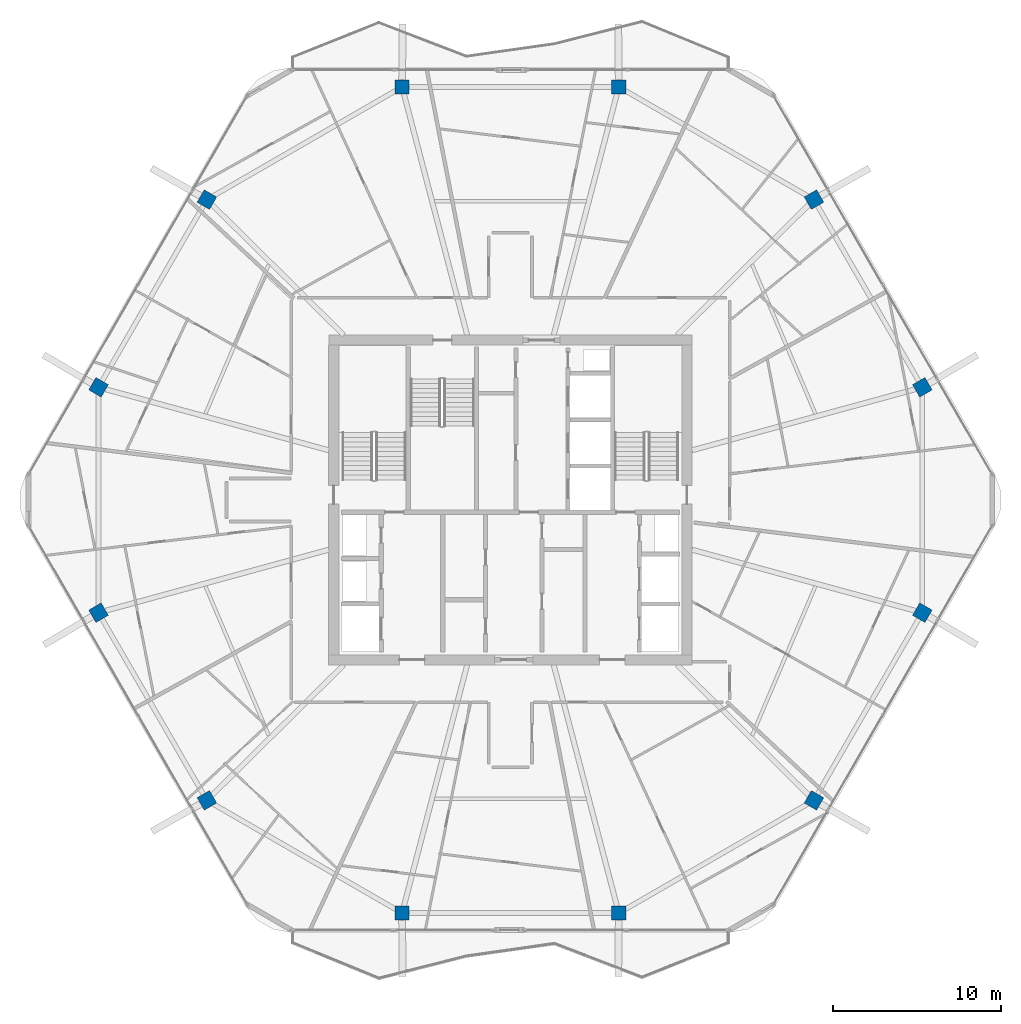
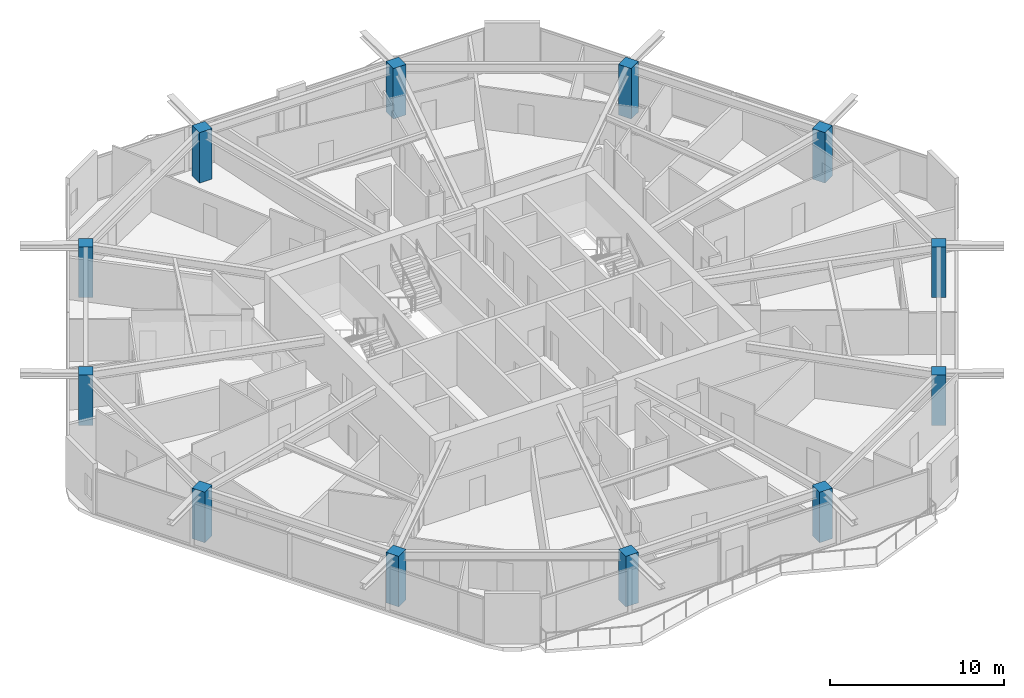
# One storey, part 1 of 27: 12 columns.
"""IFC4 building model written with IfcOpenShell, lengths in metres."""

from ifc_helpers import new_model, si_unit, direction, frame, origin, origin_2d, place, context, subcontext, project, spatial, rectangle, extrude, material, material_profile, profile_set, type_object, element, save


model = new_model("IFC4")

# Units and contexts
model_context = context("Model", 3, precision=1e-05, world=origin(), true_north=direction((0.0, 1.0)))
body_context = subcontext(model_context, "Body", "Model", "MODEL_VIEW")
ifc_project = project(units=[si_unit("LENGTHUNIT", "METRE"), si_unit("AREAUNIT", "SQUARE_METRE"), si_unit("VOLUMEUNIT", "CUBIC_METRE"), si_unit("PLANEANGLEUNIT", "RADIAN"), si_unit("MASSUNIT", "GRAM", prefix="KILO")], contexts=[model_context])

# Site, building, storey
site_placement = place(None, origin())
site = spatial("IfcSite", under=ifc_project, at=site_placement, CompositionType="ELEMENT")
building_placement = place(site_placement, origin())
building = spatial("IfcBuilding", under=site, at=building_placement, Name="Zuhravey Tower", CompositionType="ELEMENT")
storey_placement = place(building_placement, frame((0.0, 0.0, 265.39990234375)))
storey = spatial("IfcBuildingStorey", under=building, at=storey_placement, Name="L67", CompositionType="ELEMENT", Elevation=265.39990234375)

# Columns
ifc_material = material(Name="Concrete C50/60", Category="concrete")
ifc_material_profile = material_profile(ifc_material, rectangle(XDim=0.85009765625, YDim=0.85009765625, at=origin_2d()), Name="RC-850x850")
ifc_profile_set = profile_set([ifc_material_profile], Name="Concrete C50/60")
column_type = type_object("IfcColumnType", Name="Zone 3 Upper Column 850x850", PredefinedType="COLUMN", material=ifc_profile_set)
for number, where, z_axis, x_axis, name in (
    (1, (60.484619140625, 38.698974609375, 0.0), (0.0, 0.0, 1.0), (-0.5, 0.866025403784, 0.0), "L67 Perimeter Column PC01"),
    (2, (54.043701171875, 49.854736328125, 0.0), (0.0, 0.0, 1.0), (-0.5, 0.866025403784, 0.0), "L67 Perimeter Column PC02"),
    (3, (42.44091796875, 56.5537109375, 0.0), (0.0, 0.0, 1.0), (-1.0, 0.0, 0.0), "L67 Perimeter Column PC03"),
    (4, (29.55908203125, 56.5537109375, 0.0), (0.0, 0.0, 1.0), (-1.0, 0.0, 0.0), "L67 Perimeter Column PC04"),
    (5, (17.956298828125, 49.854736328125, 0.0), (0.0, 0.0, 1.0), (-0.5, -0.866025403784, 0.0), "L67 Perimeter Column PC05"),
    (6, (11.515380859375, 38.698974609375, 0.0), (0.0, 0.0, 1.0), (-0.5, -0.866025403784, 0.0), "L67 Perimeter Column PC06"),
    (7, (11.515380859375, 25.301025390625, 0.0), (0.0, 0.0, 1.0), (0.5, -0.866025403784, 0.0), "L67 Perimeter Column PC07"),
    (8, (17.956298828125, 14.145263671875, 0.0), (0.0, 0.0, 1.0), (0.5, -0.866025403784, 0.0), "L67 Perimeter Column PC08"),
    (9, (29.55908203125, 7.4462890625, 0.0), (0.0, 0.0, 1.0), (1.0, 0.0, 0.0), "L67 Perimeter Column PC09"),
    (10, (42.44091796875, 7.4462890625, 0.0), (0.0, 0.0, 1.0), (1.0, 0.0, 0.0), "L67 Perimeter Column PC10"),
    (11, (54.043701171875, 14.145263671875, 0.0), (0.0, 0.0, 1.0), (0.5, 0.866025403784, 0.0), "L67 Perimeter Column PC11"),
    (12, (60.484619140625, 25.301025390625, 0.0), (0.0, 0.0, 1.0), (0.5, 0.866025403784, 0.0), "L67 Perimeter Column PC12"),
):
    element("IfcColumn", number, at=place(storey_placement, frame(where, z_axis=z_axis, x_axis=x_axis)), inside=storey, type_object=column_type, Name=name, PredefinedType="COLUMN", context=body_context, shape_type="SweptSolid", body=[
        extrude(rectangle(XDim=0.85009765625, YDim=0.85009765625, at=origin_2d()), origin(), (0.0, 0.0, 1.0), 3.550048828125),
    ])

save(model, "model.ifc")
